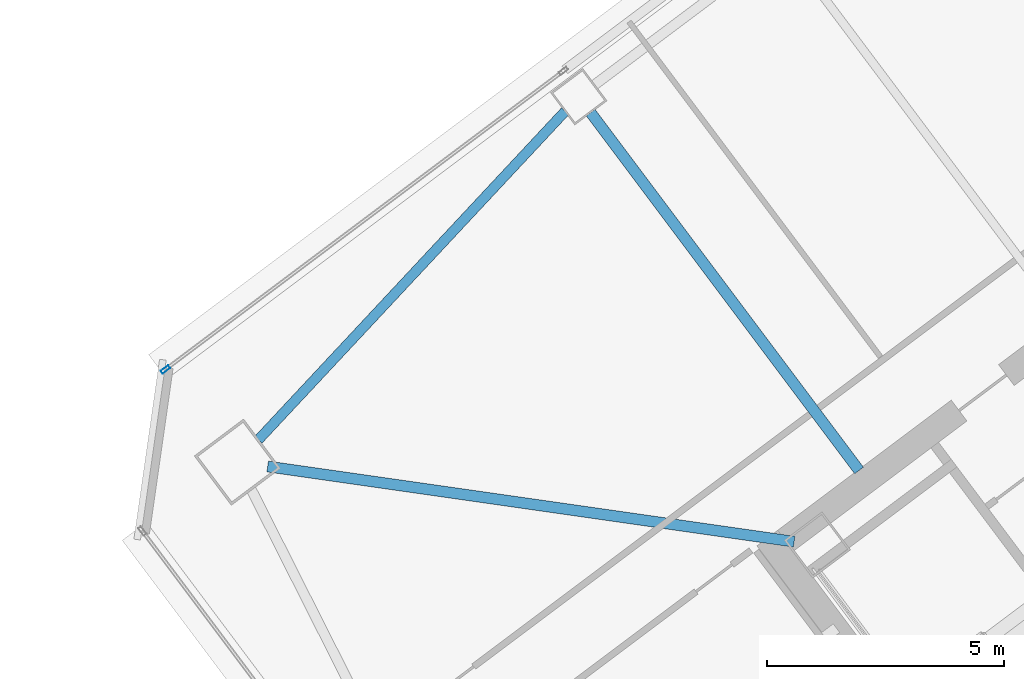
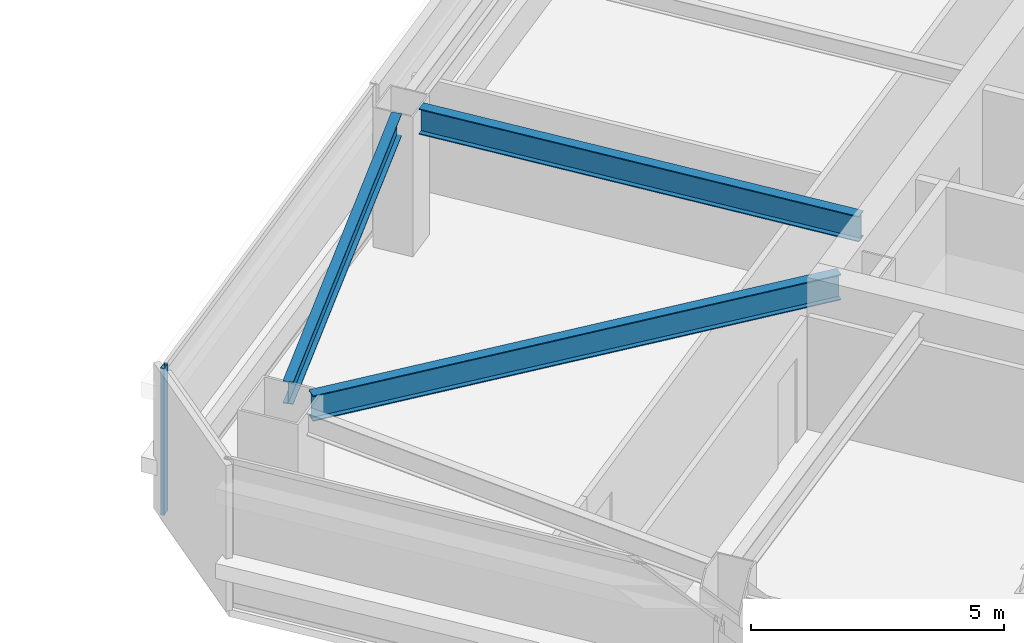
# One storey, part 20 of 41: 3 beams, 1 member, 1 element without a shape of its own.
"""IFC4 building model written with IfcOpenShell, lengths in metres."""

import ifcopenshell
import ifcopenshell.guid

model = None  # the IFC model being written
_history = None  # IfcOwnerHistory: only IFC2X3 demands one
_inside = {}  # id of a spatial element -> (the spatial element, [elements in it])
_under = {}  # id of a project, library or spatial element -> (it, [spatial elements below it])
_declared = {}  # id of a project -> (the project, [libraries it declares])
_typed = {}  # id of a type object -> (the type object, [elements of that type])
_made_of = {}  # id of a material, layer set ... -> (it, [elements and type objects made of it])


def new_model(schema):
    """Start an empty IFC model of exactly this schema.

    Asked for "IFC4X3", IfcOpenShell would pick the latest addendum, in which some entities
    have other attributes; the version numbers below select the first issue.
    IFC2X3 requires an IfcOwnerHistory on every rooted entity: one is made here for all.
    """
    global model, _history
    if schema == "IFC4X3":
        model = ifcopenshell.file(schema_version=(4, 3, 0, 0))
    else:
        model = ifcopenshell.file(schema=schema)
    _inside.clear()
    _under.clear()
    _declared.clear()
    _typed.clear()
    _made_of.clear()
    _history = None
    if model.schema == "IFC2X3":
        org = make("IfcOrganization", Name="unknown")
        user = make(
            "IfcPersonAndOrganization",
            ThePerson=make("IfcPerson", FamilyName="unknown"),
            TheOrganization=org,
        )
        app = make(
            "IfcApplication",
            ApplicationDeveloper=org,
            Version="unknown",
            ApplicationFullName="unknown",
            ApplicationIdentifier="unknown",
        )
        _history = make(
            "IfcOwnerHistory",
            OwningUser=user,
            OwningApplication=app,
            ChangeAction="ADDED",
            CreationDate=0,
        )
    return model


def make(cls, **values):
    """One entity of the class cls with the attributes given. An attribute that is None is left unset."""
    return model.create_entity(
        cls, **{name: value for name, value in values.items() if value is not None}
    )


def rooted(cls, **values):
    """An entity with a GlobalId (a new one), such as an element, a storey or a relation."""
    return make(cls, GlobalId=ifcopenshell.guid.new(), OwnerHistory=_history, **values)


def si_unit(unit_type, name, prefix=None):
    """IfcSIUnit, for example si_unit("LENGTHUNIT", "METRE", prefix="MILLI")."""
    return make("IfcSIUnit", UnitType=unit_type, Prefix=prefix, Name=name)


def assignment(units):
    """IfcUnitAssignment: the units of a project."""
    return None if units is None else make("IfcUnitAssignment", Units=units)


def point(xyz):
    """IfcCartesianPoint."""
    return None if xyz is None else make("IfcCartesianPoint", Coordinates=xyz)


def direction(xyz):
    """IfcDirection."""
    return None if xyz is None else make("IfcDirection", DirectionRatios=xyz)


def frame(location, z_axis=None, x_axis=None):
    """IfcAxis2Placement3D, a coordinate frame: its origin and axes. An axis left out is left unset."""
    return make(
        "IfcAxis2Placement3D",
        Location=point(location),
        Axis=direction(z_axis),
        RefDirection=direction(x_axis),
    )


def frame_2d(location, x_axis=None):
    """IfcAxis2Placement2D, a coordinate frame in the plane: its origin and x axis."""
    return make(
        "IfcAxis2Placement2D", Location=point(location), RefDirection=direction(x_axis)
    )


def origin():
    """The frame at (0, 0, 0) with its axes left unset."""
    return frame((0.0, 0.0, 0.0))


def origin_2d():
    """The frame at (0, 0) in the plane with its x axis left unset."""
    return frame_2d((0.0, 0.0))


def place(relative_to, where):
    """IfcLocalPlacement: puts the frame where relative to a parent placement (None: the world)."""
    return make(
        "IfcLocalPlacement", PlacementRelTo=relative_to, RelativePlacement=where
    )


def context(
    kind, dimensions, precision=None, world=None, true_north=None, identifier=None
):
    """IfcGeometricRepresentationContext, for example the 3D "Model" context."""
    return make(
        "IfcGeometricRepresentationContext",
        ContextIdentifier=identifier,
        ContextType=kind,
        CoordinateSpaceDimension=dimensions,
        Precision=precision,
        WorldCoordinateSystem=world,
        TrueNorth=true_north,
    )


def subcontext(parent, identifier, kind, view, scale=None):
    """IfcGeometricRepresentationSubContext, for example "Body" below "Model"."""
    return make(
        "IfcGeometricRepresentationSubContext",
        ContextIdentifier=identifier,
        ContextType=kind,
        ParentContext=parent,
        TargetScale=scale,
        TargetView=view,
    )


def project(units=None, contexts=None):
    """IfcProject with its units and contexts."""
    return rooted(
        "IfcProject",
        Name="project",
        RepresentationContexts=contexts,
        UnitsInContext=assignment(units),
    )


def spatial(cls, under=None, at=None, **own):
    """A site, building, storey or space (cls), placed at a placement, below another one or the project."""
    s = rooted(cls, ObjectPlacement=at, **own)
    if under is not None:
        _under.setdefault(under.id(), (under, []))[1].append(s)
    return s


def profile(cls, at=None, kind="AREA", **sizes):
    """A parametric profile (cls). Its sizes go by their IFC names, for example OverallWidth=200.0."""
    return make(cls, ProfileType=kind, Position=at, **sizes)


def hollow_rectangle(**sizes):
    """IfcRectangleHollowProfileDef."""
    return profile("IfcRectangleHollowProfileDef", **sizes)


def i_section(**sizes):
    """IfcIShapeProfileDef."""
    return profile("IfcIShapeProfileDef", **sizes)


def extrude(swept, where, along, depth):
    """IfcExtrudedAreaSolid: the profile swept, set in the frame where, extruded along a direction by depth."""
    return make(
        "IfcExtrudedAreaSolid",
        SweptArea=swept,
        Position=where,
        ExtrudedDirection=direction(along),
        Depth=depth,
    )


def shape(context_of_items, identifier, shape_type, items):
    """IfcShapeRepresentation: the items that make up one representation, for example the "Body"."""
    return make(
        "IfcShapeRepresentation",
        ContextOfItems=context_of_items,
        RepresentationIdentifier=identifier,
        RepresentationType=shape_type,
        Items=items,
    )


def material(Name=None, Category=None):
    """IfcMaterial."""
    return make("IfcMaterial", Name=Name, Category=Category)


def material_profile(
    of_material, cross_section, Name=None, Category=None, Priority=None
):
    """IfcMaterialProfile: a cross section and its material."""
    return make(
        "IfcMaterialProfile",
        Name=Name,
        Material=of_material,
        Profile=cross_section,
        Priority=Priority,
        Category=Category,
    )


def profile_set(profiles, Name=None, composite=None):
    """IfcMaterialProfileSet."""
    return make(
        "IfcMaterialProfileSet",
        Name=Name,
        MaterialProfiles=profiles,
        CompositeProfile=composite,
    )


def made_of(thing, what):
    """Note that an element or type object is made of a material, layer set ...; save() writes the relation."""
    if what is not None:
        _made_of.setdefault(what.id(), (what, []))[1].append(thing)
    return thing


def type_object(cls, material=None, **own):
    """A type object (cls), such as IfcWallType, which elements share."""
    return made_of(rooted(cls, **own), material)


def element(
    cls,
    number,
    at=None,
    inside=None,
    cuts=None,
    type_object=None,
    material=None,
    context=None,
    identifier="Body",
    shape_type=None,
    held_by="IfcProductDefinitionShape",
    body=None,
    shapes=None,
    **own,
):
    """One element of the class cls, such as IfcWall. Its Tag is "e" and its number.

    at: its placement. inside: the storey or other place that contains it. cuts: it is an
    opening in that element (IfcRelVoidsElement). A single representation is given by context,
    identifier, shape_type and body (its items); several are given by shapes. held_by: the class
    of the entity that holds the representations. save() writes the other relations.
    """
    e = rooted(cls, Tag="e%d" % number, ObjectPlacement=at, **own)
    if body is not None:
        shapes = [shape(context, identifier, shape_type, body)]
    if shapes is not None:
        e.Representation = make(held_by, Representations=shapes)
    if inside is not None:
        _inside.setdefault(inside.id(), (inside, []))[1].append(e)
    if cuts is not None:
        rooted(
            "IfcRelVoidsElement", RelatingBuildingElement=cuts, RelatedOpeningElement=e
        )
    if type_object is not None:
        _typed.setdefault(type_object.id(), (type_object, []))[1].append(e)
    return made_of(e, material)


def aggregate(whole, parts):
    """IfcRelAggregates: a whole, such as a stair, and the parts it consists of."""
    return rooted("IfcRelAggregates", RelatingObject=whole, RelatedObjects=parts)


def save(model, path):
    """Write the relations noted so far, then the file.

    IfcRelAggregates (storeys below a building ...), IfcRelContainedInSpatialStructure (elements
    in a storey), IfcRelDefinesByType, IfcRelAssociatesMaterial and IfcRelDeclares: one each for
    every whole, place, type object, material and project.
    """
    for whole, parts in _under.values():
        aggregate(whole, parts)
    for where, things in _inside.values():
        rooted(
            "IfcRelContainedInSpatialStructure",
            RelatedElements=things,
            RelatingStructure=where,
        )
    for kind, things in _typed.values():
        rooted("IfcRelDefinesByType", RelatedObjects=things, RelatingType=kind)
    for what, things in _made_of.values():
        rooted("IfcRelAssociatesMaterial", RelatedObjects=things, RelatingMaterial=what)
    for by, libraries in _declared.values():
        rooted("IfcRelDeclares", RelatingContext=by, RelatedDefinitions=libraries)
    model.write(path)


model = new_model("IFC4")

# Units and contexts
model_context = context("Model", 3, precision=1e-05, world=origin(), true_north=direction((0.0, 1.0)))
body_context = subcontext(model_context, "Body", "Model", "MODEL_VIEW")
ifc_project = project(units=[si_unit("LENGTHUNIT", "METRE"), si_unit("AREAUNIT", "SQUARE_METRE"), si_unit("VOLUMEUNIT", "CUBIC_METRE"), si_unit("PLANEANGLEUNIT", "RADIAN"), si_unit("MASSUNIT", "GRAM", prefix="KILO")], contexts=[model_context])

# Site, building, storey
site_placement = place(None, origin())
site = spatial("IfcSite", under=ifc_project, at=site_placement, CompositionType="ELEMENT")
building_placement = place(site_placement, origin())
building = spatial("IfcBuilding", under=site, at=building_placement, Name="Tashvorn Skyway Center", CompositionType="ELEMENT")
storey_placement = place(building_placement, frame((0.0, 0.0, 117.949951171875)))
storey = spatial("IfcBuildingStorey", under=building, at=storey_placement, Name="L31", CompositionType="ELEMENT", Elevation=117.949951171875)

# Beams
ifc_material_1 = material(Name="Steel ASTM A992 Grade 50", Category="steel")
ifc_material_profile_1 = material_profile(ifc_material_1, i_section(OverallWidth=0.22998046875, OverallDepth=0.616943359375, WebThickness=0.01318359375, FlangeThickness=0.022216796875, at=origin_2d()), Name="W24X94")
ifc_profile_set_1 = profile_set([ifc_material_profile_1], Name="Steel ASTM A992 Grade 50")
beam_type_1 = type_object("IfcBeamType", Name="BM-BEAM-W24X94", PredefinedType="BEAM", material=ifc_profile_set_1)
beam_1_placement = place(storey_placement, frame((92.5185546875, 35.06884765625, 3.0615234375), z_axis=(0.989948189712, -0.141430483583, 0.0), x_axis=(0.141430483583, 0.989948189712, 0.0)))
element("IfcBeam", 1, at=beam_1_placement, inside=storey, type_object=beam_type_1, Name="Tower 2 L31 Primary Floor Girder MC-NW", PredefinedType="BEAM", context=body_context, shape_type="SweptSolid", body=[
    extrude(i_section(OverallWidth=0.22998046875, OverallDepth=0.616943359375, WebThickness=0.01318359375, FlangeThickness=0.022216796875, at=origin_2d()), origin(), (0.0, 0.0, 1.0), 11.234375),
])
beam_2_placement = place(storey_placement, frame((99.342041015625, 42.5439453125, 3.0615234375), z_axis=(0.599991732772, -0.800006200354, 0.0), x_axis=(0.800006200354, 0.599991732772, 0.0)))
element("IfcBeam", 2, at=beam_2_placement, inside=storey, type_object=beam_type_1, Name="Tower 2 L31 Primary Floor Girder FC-N2", PredefinedType="BEAM", context=body_context, shape_type="SweptSolid", body=[
    extrude(i_section(OverallWidth=0.22998046875, OverallDepth=0.616943359375, WebThickness=0.01318359375, FlangeThickness=0.022216796875, at=origin_2d()), origin(), (0.0, 0.0, 1.0), 9.449951171875),
])
ifc_material_profile_2 = material_profile(ifc_material_1, i_section(OverallWidth=0.2109375, OverallDepth=0.5390625, WebThickness=0.01171875, FlangeThickness=0.018798828125, at=origin_2d()), Name="W21X73")
ifc_profile_set_2 = profile_set([ifc_material_profile_2], Name="Steel ASTM A992 Grade 50")
beam_type_2 = type_object("IfcBeamType", Name="BM-SPANDREL-W21X73", PredefinedType="SPANDREL", material=ifc_profile_set_2)
beam_3_placement = place(storey_placement, frame((98.80322265625, 42.572998046875, 3.1005859375), z_axis=(-0.682545341102, -0.730843250868, 0.0), x_axis=(0.730843250868, -0.682545341102, 0.0)))
element("IfcBeam", 3, at=beam_3_placement, inside=storey, type_object=beam_type_2, Name="Tower 2 L31 Spandrel Beam 09", PredefinedType="SPANDREL", context=body_context, shape_type="SweptSolid", body=[
    extrude(i_section(OverallWidth=0.2109375, OverallDepth=0.5390625, WebThickness=0.01171875, FlangeThickness=0.018798828125, at=origin_2d()), origin(), (0.0, 0.0, 1.0), 9.498046875),
])

# Curtain wall, member
ifc_material_2 = material(Name="Thermally broken bronze-anodized aluminium 6063-T6", Category="aluminium")
curtain_wall_type = type_object("IfcCurtainWallType", Name="CW-CW-Z3", PredefinedType="NOTDEFINED", material=ifc_material_2)
curtain_wall_placement = place(storey_placement, origin())
curtain_wall = element("IfcCurtainWall", 4, at=curtain_wall_placement, inside=storey, type_object=curtain_wall_type, Name="Tower 2 L31 North Unitised Curtain Wall Glazing Group 1", PredefinedType="NOTDEFINED")
ifc_material_profile_3 = material_profile(ifc_material_2, hollow_rectangle(XDim=0.074951171875, YDim=0.199951171875, WallThickness=0.00439453125, at=origin_2d()), Name="ALU-MULL-75x200")
ifc_profile_set_3 = profile_set([ifc_material_profile_3], Name="Thermally broken bronze-anodized aluminium 6063-T6")
member_type = type_object("IfcMemberType", Name="CWM-CW-Z3", PredefinedType="MULLION", material=ifc_profile_set_3)
member_placement = place(storey_placement, frame((90.35791015625, 37.118408203125, 0.0), z_axis=(0.0, 0.0, 1.0), x_axis=(-0.600001511345, 0.799998866489, 0.0)))
member = element("IfcMember", 5, at=member_placement, type_object=member_type, Name="CW-Z3 mullion 1", PredefinedType="MULLION", context=body_context, shape_type="SweptSolid", body=[
    extrude(hollow_rectangle(XDim=0.074951171875, YDim=0.199951171875, WallThickness=0.00439453125, at=origin_2d()), origin(), (0.0, 0.0, 1.0), 3.550048828125),
])
aggregate(curtain_wall, [member])

save(model, "model.ifc")
